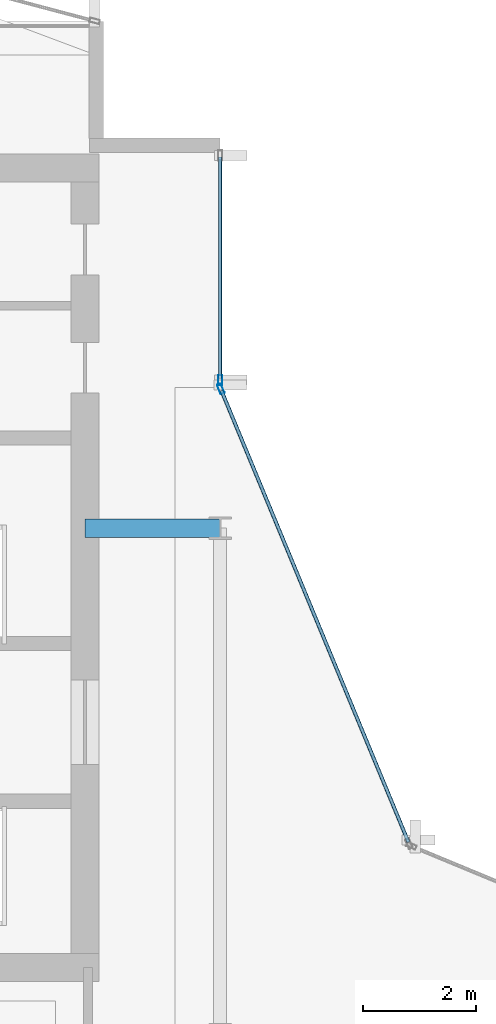
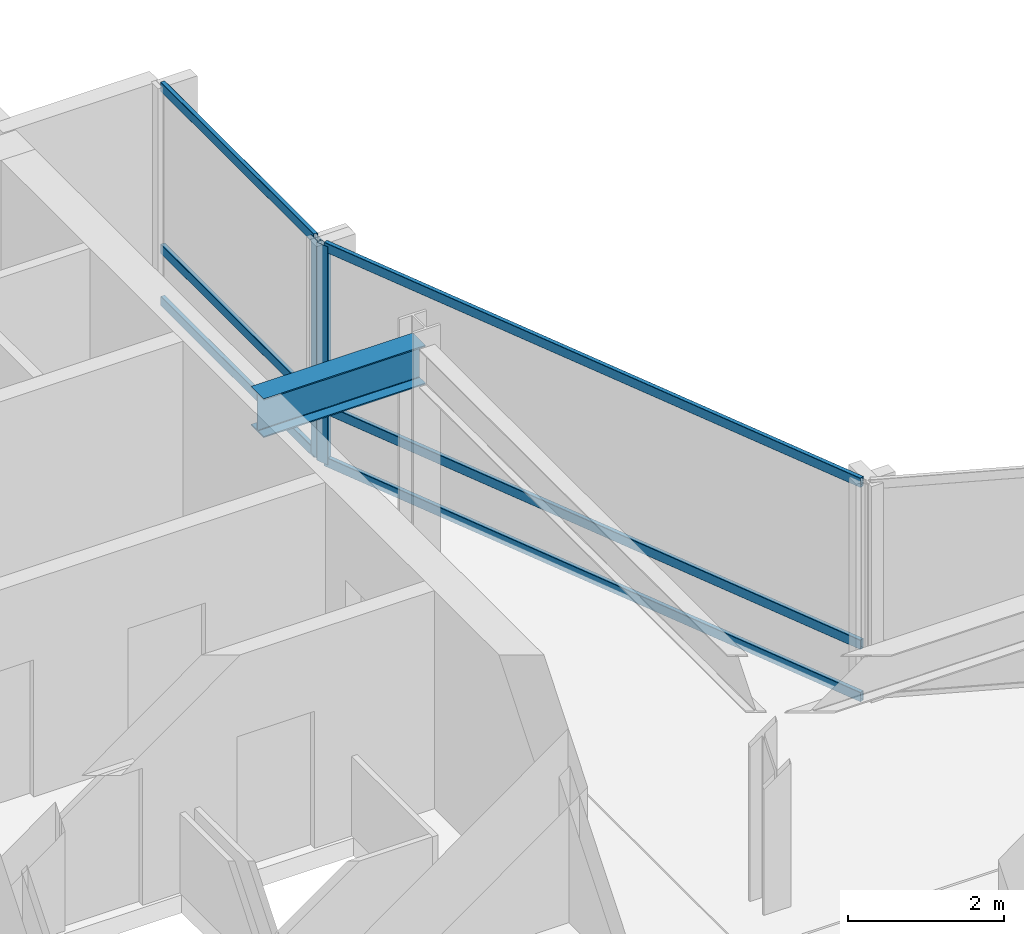
# One storey, part 17 of 27: 8 members, 1 beam, 2 elements without a shape of their own.
"""IFC4 building model written with IfcOpenShell, lengths in metres."""

from ifc_helpers import new_model, si_unit, direction, frame, origin, origin_2d, place, context, subcontext, project, spatial, hollow_rectangle, i_section, extrude, material, layer, layer_set, material_profile, profile_set, type_object, element, aggregate, save


model = new_model("IFC4")

# Units and contexts
model_context = context("Model", 3, precision=1e-05, world=origin(), true_north=direction((0.0, 1.0)))
body_context = subcontext(model_context, "Body", "Model", "MODEL_VIEW")
ifc_project = project(units=[si_unit("LENGTHUNIT", "METRE"), si_unit("AREAUNIT", "SQUARE_METRE"), si_unit("VOLUMEUNIT", "CUBIC_METRE"), si_unit("PLANEANGLEUNIT", "RADIAN"), si_unit("MASSUNIT", "GRAM", prefix="KILO")], contexts=[model_context])

# Site, building, storey
site_placement = place(None, origin())
site = spatial("IfcSite", under=ifc_project, at=site_placement, CompositionType="ELEMENT")
building_placement = place(site_placement, origin())
building = spatial("IfcBuilding", under=site, at=building_placement, Name="Solvaryn Broadcast Tower", CompositionType="ELEMENT")
storey_placement = place(building_placement, frame((0.0, 0.0, 221.0)))
storey = spatial("IfcBuildingStorey", under=building, at=storey_placement, Name="L55", CompositionType="ELEMENT", Elevation=221.0)

# Beam
ifc_material_1 = material(Name="Steel ASTM A992 Grade 50", Category="steel")
ifc_material_profile_1 = material_profile(ifc_material_1, i_section(OverallWidth=0.323974609375, OverallDepth=0.611083984375, WebThickness=0.0126953125, FlangeThickness=0.01904296875, FilletRadius=0.014892578125, at=origin_2d()))
ifc_profile_set_1 = profile_set([ifc_material_profile_1], Name="Steel ASTM A992 Grade 50")
beam_type = type_object("IfcBeamType", Name="BM-B1-W24X104", PredefinedType="BEAM", material=ifc_profile_set_1)
beam_placement = place(storey_placement, frame((24.60009765625, 36.0, 3.114501953125), z_axis=(1.0, 0.0, 0.0), x_axis=(0.0, 1.0, 0.0)))
element("IfcBeam", 1, at=beam_placement, inside=storey, type_object=beam_type, Name="L55 Core Tie Beam CTW2", PredefinedType="BEAM", context=body_context, shape_type="SweptSolid", body=[
    extrude(i_section(OverallWidth=0.323974609375, OverallDepth=0.611083984375, WebThickness=0.0126953125, FlangeThickness=0.01904296875, FilletRadius=0.014892578125, at=origin_2d()), origin(), (0.0, 0.0, 1.0), 2.39990234375),
])

# Curtain wall, member
ifc_material_2 = material(Name="Aluminium and Terracotta Unitised Curtain Wall", Category="masonry")
ifc_layer = layer(ifc_material_2, 0.199951171875)
ifc_layer_set = layer_set([ifc_layer], Name="CW-SYS2-LOWMID")
curtain_wall_type = type_object("IfcCurtainWallType", Name="CW-SYS2-LOWMID", PredefinedType="NOTDEFINED", material=ifc_layer_set)
curtain_wall_1_placement = place(storey_placement, origin())
curtain_wall_1 = element("IfcCurtainWall", 2, at=curtain_wall_1_placement, inside=storey, type_object=curtain_wall_type, Name="L55 Curtain Wall IV", PredefinedType="NOTDEFINED")
ifc_material_3 = material(Name="Anodised Aluminium 6063-T6", Category="aluminium")
ifc_material_profile_2 = material_profile(ifc_material_3, hollow_rectangle(XDim=0.074951171875, YDim=0.179931640625, WallThickness=0.00390625, InnerFilletRadius=0.00390625, OuterFilletRadius=0.008056640625, at=origin_2d()))
ifc_profile_set_2 = profile_set([ifc_material_profile_2], Name="Anodised Aluminium 6063-T6")
member_type_1 = type_object("IfcMemberType", Name="CW-MUL-180", PredefinedType="MULLION", material=ifc_profile_set_2)
member_1_placement = place(storey_placement, frame((27.0, 38.6298828125, 0.0), z_axis=(0.0, 0.0, 1.0), x_axis=(1.0, 0.0, 0.0)))
member_1 = element("IfcMember", 3, at=member_1_placement, type_object=member_type_1, Name="CWS2 mullion 2", PredefinedType="MULLION", context=body_context, shape_type="SweptSolid", body=[
    extrude(hollow_rectangle(XDim=0.074951171875, YDim=0.179931640625, WallThickness=0.00390625, InnerFilletRadius=0.00390625, OuterFilletRadius=0.008056640625, at=origin_2d()), origin(), (0.0, 0.0, 1.0), 3.419921875),
])

curtain_wall_2_placement = place(storey_placement, origin())
curtain_wall_2 = element("IfcCurtainWall", 4, at=curtain_wall_2_placement, inside=storey, type_object=curtain_wall_type, Name="L55 Curtain Wall CN2", PredefinedType="NOTDEFINED")
member_2_placement = place(storey_placement, frame((27.011474609375, 38.47216796875, 0.0), z_axis=(0.0, 0.0, 1.0), x_axis=(-0.923894983957, -0.382646127145, 0.0)))
member_2 = element("IfcMember", 5, at=member_2_placement, type_object=member_type_1, Name="CWS2 mullion 2", PredefinedType="MULLION", context=body_context, shape_type="SweptSolid", body=[
    extrude(hollow_rectangle(XDim=0.074951171875, YDim=0.179931640625, WallThickness=0.00390625, InnerFilletRadius=0.00390625, OuterFilletRadius=0.008056640625, at=origin_2d()), origin(), (0.0, 0.0, 1.0), 3.419921875),
])

# Member
ifc_material_4 = material(Name="Anodised Aluminium 6063-T6", Category="aluminium")
ifc_material_profile_3 = material_profile(ifc_material_4, hollow_rectangle(XDim=0.06494140625, YDim=0.14990234375, WallThickness=0.00390625, InnerFilletRadius=0.00390625, OuterFilletRadius=0.008056640625, at=origin_2d()))
ifc_profile_set_3 = profile_set([ifc_material_profile_3], Name="Anodised Aluminium 6063-T6")
member_type_2 = type_object("IfcMemberType", Name="CW-TRN-150", PredefinedType="USERDEFINED", material=ifc_profile_set_3)
member_3_placement = place(storey_placement, frame((27.0, 42.590087890625, 0.030029296875), z_axis=(0.0, -1.0, 0.0), x_axis=(1.0, 0.0, 0.0)))
member_3 = element("IfcMember", 6, at=member_3_placement, type_object=member_type_2, Name="CWS2 transom 1.1", ObjectType="TRANSOM", PredefinedType="USERDEFINED", context=body_context, shape_type="SweptSolid", body=[
    extrude(hollow_rectangle(XDim=0.06494140625, YDim=0.14990234375, WallThickness=0.00390625, InnerFilletRadius=0.00390625, OuterFilletRadius=0.008056640625, at=origin_2d()), origin(), (0.0, 0.0, 1.0), 3.93017578125),
])

member_4_placement = place(storey_placement, frame((27.0, 42.590087890625, 0.85009765625), z_axis=(0.0, -1.0, 0.0), x_axis=(1.0, 0.0, 0.0)))
member_4 = element("IfcMember", 7, at=member_4_placement, type_object=member_type_2, Name="CWS2 transom 1.2", ObjectType="TRANSOM", PredefinedType="USERDEFINED", context=body_context, shape_type="SweptSolid", body=[
    extrude(hollow_rectangle(XDim=0.06494140625, YDim=0.14990234375, WallThickness=0.00390625, InnerFilletRadius=0.00390625, OuterFilletRadius=0.008056640625, at=origin_2d()), origin(), (0.0, 0.0, 1.0), 3.93017578125),
])

member_5_placement = place(storey_placement, frame((27.0, 42.590087890625, 3.389892578125), z_axis=(0.0, -1.0, 0.0), x_axis=(1.0, 0.0, 0.0)))
member_5 = element("IfcMember", 8, at=member_5_placement, type_object=member_type_2, Name="CWS2 transom 1.3", ObjectType="TRANSOM", PredefinedType="USERDEFINED", context=body_context, shape_type="SweptSolid", body=[
    extrude(hollow_rectangle(XDim=0.06494140625, YDim=0.14990234375, WallThickness=0.00390625, InnerFilletRadius=0.00390625, OuterFilletRadius=0.008056640625, at=origin_2d()), origin(), (0.0, 0.0, 1.0), 3.93017578125),
])

aggregate(curtain_wall_1, [member_1, member_3, member_4, member_5])

member_6_placement = place(storey_placement, frame((30.344970703125, 30.42333984375, 0.030029296875), z_axis=(-0.382635748975, 0.923899282177, 0.0), x_axis=(-0.923899282177, -0.382635748975, 0.0)))
member_6 = element("IfcMember", 9, at=member_6_placement, type_object=member_type_2, Name="CWS2 transom 1.1", ObjectType="TRANSOM", PredefinedType="USERDEFINED", context=body_context, shape_type="SweptSolid", body=[
    extrude(hollow_rectangle(XDim=0.06494140625, YDim=0.14990234375, WallThickness=0.00390625, InnerFilletRadius=0.00390625, OuterFilletRadius=0.008056640625, at=origin_2d()), origin(), (0.0, 0.0, 1.0), 8.681884765625),
])

member_7_placement = place(storey_placement, frame((30.344970703125, 30.42333984375, 0.85009765625), z_axis=(-0.382635748975, 0.923899282177, 0.0), x_axis=(-0.923899282177, -0.382635748975, 0.0)))
member_7 = element("IfcMember", 10, at=member_7_placement, type_object=member_type_2, Name="CWS2 transom 1.2", ObjectType="TRANSOM", PredefinedType="USERDEFINED", context=body_context, shape_type="SweptSolid", body=[
    extrude(hollow_rectangle(XDim=0.06494140625, YDim=0.14990234375, WallThickness=0.00390625, InnerFilletRadius=0.00390625, OuterFilletRadius=0.008056640625, at=origin_2d()), origin(), (0.0, 0.0, 1.0), 8.681884765625),
])

member_8_placement = place(storey_placement, frame((30.344970703125, 30.42333984375, 3.389892578125), z_axis=(-0.382635748975, 0.923899282177, 0.0), x_axis=(-0.923899282177, -0.382635748975, 0.0)))
member_8 = element("IfcMember", 11, at=member_8_placement, type_object=member_type_2, Name="CWS2 transom 1.3", ObjectType="TRANSOM", PredefinedType="USERDEFINED", context=body_context, shape_type="SweptSolid", body=[
    extrude(hollow_rectangle(XDim=0.06494140625, YDim=0.14990234375, WallThickness=0.00390625, InnerFilletRadius=0.00390625, OuterFilletRadius=0.008056640625, at=origin_2d()), origin(), (0.0, 0.0, 1.0), 8.681884765625),
])

aggregate(curtain_wall_2, [member_2, member_6, member_7, member_8])

save(model, "model.ifc")
